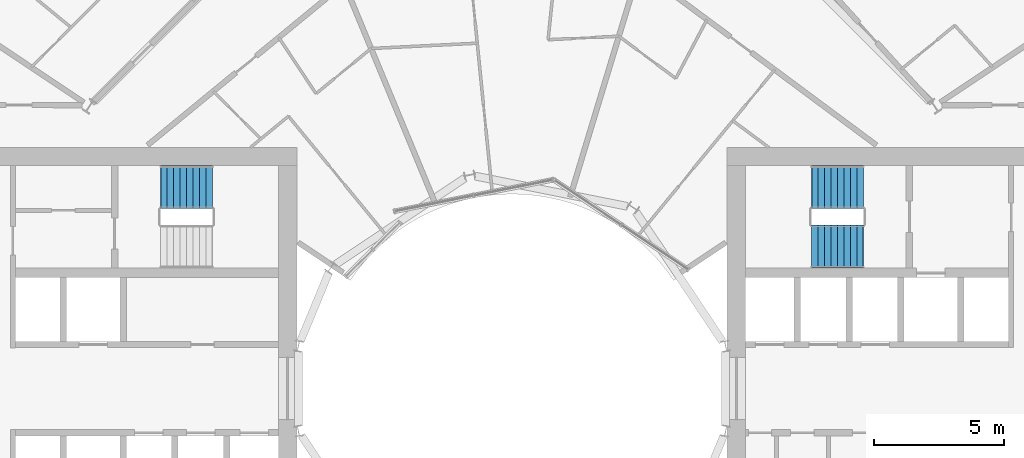
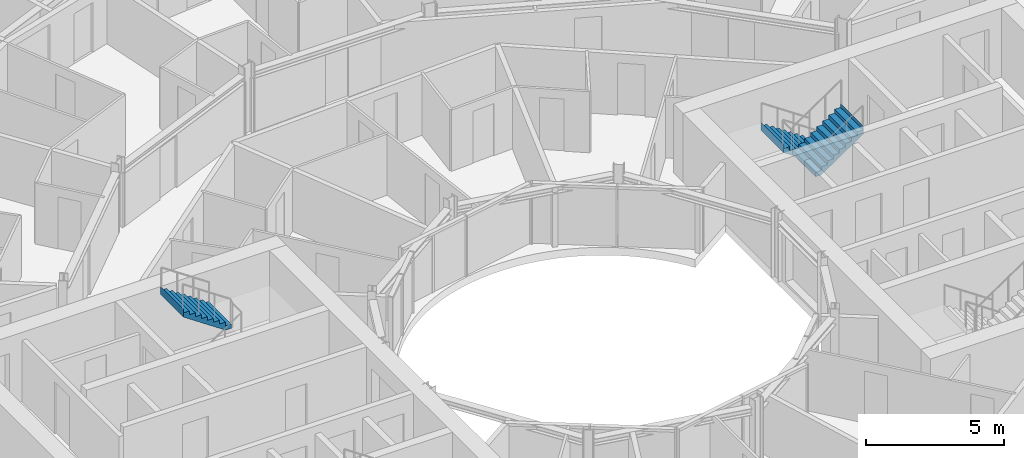
# One storey, part 24 of 26: 3 stair flights, 2 elements without a shape of their own.
"""IFC4 building model written with IfcOpenShell, lengths in metres."""

import ifcopenshell
import ifcopenshell.guid

model = None  # the IFC model being written
_history = None  # IfcOwnerHistory: only IFC2X3 demands one
_inside = {}  # id of a spatial element -> (the spatial element, [elements in it])
_under = {}  # id of a project, library or spatial element -> (it, [spatial elements below it])
_declared = {}  # id of a project -> (the project, [libraries it declares])
_typed = {}  # id of a type object -> (the type object, [elements of that type])
_made_of = {}  # id of a material, layer set ... -> (it, [elements and type objects made of it])


def new_model(schema):
    """Start an empty IFC model of exactly this schema.

    Asked for "IFC4X3", IfcOpenShell would pick the latest addendum, in which some entities
    have other attributes; the version numbers below select the first issue.
    IFC2X3 requires an IfcOwnerHistory on every rooted entity: one is made here for all.
    """
    global model, _history
    if schema == "IFC4X3":
        model = ifcopenshell.file(schema_version=(4, 3, 0, 0))
    else:
        model = ifcopenshell.file(schema=schema)
    _inside.clear()
    _under.clear()
    _declared.clear()
    _typed.clear()
    _made_of.clear()
    _history = None
    if model.schema == "IFC2X3":
        org = make("IfcOrganization", Name="unknown")
        user = make(
            "IfcPersonAndOrganization",
            ThePerson=make("IfcPerson", FamilyName="unknown"),
            TheOrganization=org,
        )
        app = make(
            "IfcApplication",
            ApplicationDeveloper=org,
            Version="unknown",
            ApplicationFullName="unknown",
            ApplicationIdentifier="unknown",
        )
        _history = make(
            "IfcOwnerHistory",
            OwningUser=user,
            OwningApplication=app,
            ChangeAction="ADDED",
            CreationDate=0,
        )
    return model


def make(cls, **values):
    """One entity of the class cls with the attributes given. An attribute that is None is left unset."""
    return model.create_entity(
        cls, **{name: value for name, value in values.items() if value is not None}
    )


def rooted(cls, **values):
    """An entity with a GlobalId (a new one), such as an element, a storey or a relation."""
    return make(cls, GlobalId=ifcopenshell.guid.new(), OwnerHistory=_history, **values)


def si_unit(unit_type, name, prefix=None):
    """IfcSIUnit, for example si_unit("LENGTHUNIT", "METRE", prefix="MILLI")."""
    return make("IfcSIUnit", UnitType=unit_type, Prefix=prefix, Name=name)


def assignment(units):
    """IfcUnitAssignment: the units of a project."""
    return None if units is None else make("IfcUnitAssignment", Units=units)


def point(xyz):
    """IfcCartesianPoint."""
    return None if xyz is None else make("IfcCartesianPoint", Coordinates=xyz)


def direction(xyz):
    """IfcDirection."""
    return None if xyz is None else make("IfcDirection", DirectionRatios=xyz)


def frame(location, z_axis=None, x_axis=None):
    """IfcAxis2Placement3D, a coordinate frame: its origin and axes. An axis left out is left unset."""
    return make(
        "IfcAxis2Placement3D",
        Location=point(location),
        Axis=direction(z_axis),
        RefDirection=direction(x_axis),
    )


def origin():
    """The frame at (0, 0, 0) with its axes left unset."""
    return frame((0.0, 0.0, 0.0))


def place(relative_to, where):
    """IfcLocalPlacement: puts the frame where relative to a parent placement (None: the world)."""
    return make(
        "IfcLocalPlacement", PlacementRelTo=relative_to, RelativePlacement=where
    )


def context(
    kind, dimensions, precision=None, world=None, true_north=None, identifier=None
):
    """IfcGeometricRepresentationContext, for example the 3D "Model" context."""
    return make(
        "IfcGeometricRepresentationContext",
        ContextIdentifier=identifier,
        ContextType=kind,
        CoordinateSpaceDimension=dimensions,
        Precision=precision,
        WorldCoordinateSystem=world,
        TrueNorth=true_north,
    )


def subcontext(parent, identifier, kind, view, scale=None):
    """IfcGeometricRepresentationSubContext, for example "Body" below "Model"."""
    return make(
        "IfcGeometricRepresentationSubContext",
        ContextIdentifier=identifier,
        ContextType=kind,
        ParentContext=parent,
        TargetScale=scale,
        TargetView=view,
    )


def project(units=None, contexts=None):
    """IfcProject with its units and contexts."""
    return rooted(
        "IfcProject",
        Name="project",
        RepresentationContexts=contexts,
        UnitsInContext=assignment(units),
    )


def spatial(cls, under=None, at=None, **own):
    """A site, building, storey or space (cls), placed at a placement, below another one or the project."""
    s = rooted(cls, ObjectPlacement=at, **own)
    if under is not None:
        _under.setdefault(under.id(), (under, []))[1].append(s)
    return s


def point_list(points):
    """IfcCartesianPointList2D or 3D."""
    cls = (
        "IfcCartesianPointList2D" if len(points[0]) == 2 else "IfcCartesianPointList3D"
    )
    return make(cls, CoordList=points)


def triangles(points, corners, closed=None, point_numbers=None):
    """IfcTriangulatedFaceSet: each triangle names its three corners, points numbered from 1."""
    return make(
        "IfcTriangulatedFaceSet",
        Coordinates=point_list(points),
        Closed=closed,
        CoordIndex=corners,
        PnIndex=point_numbers,
    )


def shape(context_of_items, identifier, shape_type, items):
    """IfcShapeRepresentation: the items that make up one representation, for example the "Body"."""
    return make(
        "IfcShapeRepresentation",
        ContextOfItems=context_of_items,
        RepresentationIdentifier=identifier,
        RepresentationType=shape_type,
        Items=items,
    )


def material(Name=None, Category=None):
    """IfcMaterial."""
    return make("IfcMaterial", Name=Name, Category=Category)


def made_of(thing, what):
    """Note that an element or type object is made of a material, layer set ...; save() writes the relation."""
    if what is not None:
        _made_of.setdefault(what.id(), (what, []))[1].append(thing)
    return thing


def type_object(cls, material=None, **own):
    """A type object (cls), such as IfcWallType, which elements share."""
    return made_of(rooted(cls, **own), material)


def element(
    cls,
    number,
    at=None,
    inside=None,
    cuts=None,
    type_object=None,
    material=None,
    context=None,
    identifier="Body",
    shape_type=None,
    held_by="IfcProductDefinitionShape",
    body=None,
    shapes=None,
    **own,
):
    """One element of the class cls, such as IfcWall. Its Tag is "e" and its number.

    at: its placement. inside: the storey or other place that contains it. cuts: it is an
    opening in that element (IfcRelVoidsElement). A single representation is given by context,
    identifier, shape_type and body (its items); several are given by shapes. held_by: the class
    of the entity that holds the representations. save() writes the other relations.
    """
    e = rooted(cls, Tag="e%d" % number, ObjectPlacement=at, **own)
    if body is not None:
        shapes = [shape(context, identifier, shape_type, body)]
    if shapes is not None:
        e.Representation = make(held_by, Representations=shapes)
    if inside is not None:
        _inside.setdefault(inside.id(), (inside, []))[1].append(e)
    if cuts is not None:
        rooted(
            "IfcRelVoidsElement", RelatingBuildingElement=cuts, RelatedOpeningElement=e
        )
    if type_object is not None:
        _typed.setdefault(type_object.id(), (type_object, []))[1].append(e)
    return made_of(e, material)


def aggregate(whole, parts):
    """IfcRelAggregates: a whole, such as a stair, and the parts it consists of."""
    return rooted("IfcRelAggregates", RelatingObject=whole, RelatedObjects=parts)


def save(model, path):
    """Write the relations noted so far, then the file.

    IfcRelAggregates (storeys below a building ...), IfcRelContainedInSpatialStructure (elements
    in a storey), IfcRelDefinesByType, IfcRelAssociatesMaterial and IfcRelDeclares: one each for
    every whole, place, type object, material and project.
    """
    for whole, parts in _under.values():
        aggregate(whole, parts)
    for where, things in _inside.values():
        rooted(
            "IfcRelContainedInSpatialStructure",
            RelatedElements=things,
            RelatingStructure=where,
        )
    for kind, things in _typed.values():
        rooted("IfcRelDefinesByType", RelatedObjects=things, RelatingType=kind)
    for what, things in _made_of.values():
        rooted("IfcRelAssociatesMaterial", RelatedObjects=things, RelatingMaterial=what)
    for by, libraries in _declared.values():
        rooted("IfcRelDeclares", RelatingContext=by, RelatedDefinitions=libraries)
    model.write(path)


model = new_model("IFC4")

# Units and contexts
model_context = context("Model", 3, precision=1e-05, world=origin(), true_north=direction((0.0, 1.0)))
body_context = subcontext(model_context, "Body", "Model", "MODEL_VIEW")
ifc_project = project(units=[si_unit("LENGTHUNIT", "METRE"), si_unit("AREAUNIT", "SQUARE_METRE"), si_unit("VOLUMEUNIT", "CUBIC_METRE"), si_unit("PLANEANGLEUNIT", "RADIAN"), si_unit("MASSUNIT", "GRAM", prefix="KILO")], contexts=[model_context])

# Site, building, storey
site_placement = place(None, origin())
site = spatial("IfcSite", under=ifc_project, at=site_placement, CompositionType="ELEMENT")
building_placement = place(site_placement, origin())
building = spatial("IfcBuilding", under=site, at=building_placement, Name="Maasbend Ring Residences", CompositionType="ELEMENT")
storey_placement = place(building_placement, frame((0.0, 0.0, 69.699951171875)))
storey = spatial("IfcBuildingStorey", under=building, at=storey_placement, Name="L19", CompositionType="ELEMENT", Elevation=69.699951171875)

# Stair, stair flights
ifc_material_1 = material(Name="Concrete C40/50", Category="concrete")
stair_type = type_object("IfcStairType", Name="CORE STAIR 18 RISERS", PredefinedType="HALF_TURN_STAIR", material=ifc_material_1)
stair_1_placement = place(storey_placement, origin())
stair_1 = element("IfcStair", 1, at=stair_1_placement, inside=storey, type_object=stair_type, Name="L19 Exit stair ST-E1", PredefinedType="HALF_TURN_STAIR")
ifc_material_2 = material(Name="Concrete C40/50", Category="concrete")
stair_flight_type = type_object("IfcStairFlightType", Name="CORE STAIR FLIGHT 1650", PredefinedType="STRAIGHT", material=ifc_material_2)
stair_flight_1_placement = place(storey_placement, frame((13.550048828125, 7.77490234375, 0.0), z_axis=(0.0, 0.0, 1.0), x_axis=(-1.0, 0.0, 0.0)))
stair_flight_1 = element("IfcStairFlight", 2, at=stair_flight_1_placement, type_object=stair_flight_type, Name="ST-E1 flight 1", NumberOfRisers=9, NumberOfTreads=8, PredefinedType="STRAIGHT", RiserHeight=0.169444444, TreadLength=0.25, context=body_context, shape_type="Tessellation", body=[
    triangles([(0.24072265625, 0.824951171875, -0.02001953125), (2.0029296875, 0.824951171875, 1.174560546875), (2.0029296875, 0.824951171875, 1.52490234375), (1.989990234375, 0.824951171875, 1.35546875), (1.75, 0.824951171875, 1.35546875), (1.75, 0.824951171875, 1.18603515625), (1.5, 0.824951171875, 1.18603515625), (1.5, 0.824951171875, 1.0166015625), (1.25, 0.824951171875, 1.0166015625), (1.25, 0.824951171875, 0.84716796875), (1.0, 0.824951171875, 0.84716796875), (1.0, 0.824951171875, 0.677734375), (0.75, 0.824951171875, 0.677734375), (0.75, 0.824951171875, 0.50830078125), (0.5, 0.824951171875, 0.50830078125), (0.5, 0.824951171875, 0.3388671875), (0.25, 0.824951171875, 0.3388671875), (0.25, 0.824951171875, 0.16943359375), (0.0, 0.824951171875, 0.16943359375), (0.0, 0.824951171875, 0.0), (-0.0029296875, 0.824951171875, 0.0), (-0.0029296875, 0.824951171875, -0.02001953125), (0.24072265625, 0.27490234375, -0.02001953125), (2.0029296875, 0.27490234375, 1.174560546875), (2.0029296875, 0.27490234375, 1.52490234375), (1.989990234375, 0.27490234375, 1.35546875), (1.75, 0.27490234375, 1.35546875), (1.75, 0.27490234375, 1.18603515625), (1.5, 0.27490234375, 1.18603515625), (1.5, 0.27490234375, 1.0166015625), (1.25, 0.27490234375, 1.0166015625), (1.25, 0.27490234375, 0.84716796875), (1.0, 0.27490234375, 0.84716796875), (1.0, 0.27490234375, 0.677734375), (0.75, 0.27490234375, 0.677734375), (0.75, 0.27490234375, 0.50830078125), (0.5, 0.27490234375, 0.50830078125), (0.5, 0.27490234375, 0.3388671875), (0.25, 0.27490234375, 0.3388671875), (0.25, 0.27490234375, 0.16943359375), (0.0, 0.27490234375, 0.16943359375), (0.0, 0.27490234375, 0.0), (-0.0029296875, 0.27490234375, 0.0), (-0.0029296875, 0.27490234375, -0.02001953125), (0.24072265625, -0.27490234375, -0.02001953125), (2.0029296875, -0.27490234375, 1.174560546875), (2.0029296875, -0.27490234375, 1.52490234375), (1.989990234375, -0.27490234375, 1.35546875), (1.75, -0.27490234375, 1.35546875), (1.75, -0.27490234375, 1.18603515625), (1.5, -0.27490234375, 1.18603515625), (1.5, -0.27490234375, 1.0166015625), (1.25, -0.27490234375, 1.0166015625), (1.25, -0.27490234375, 0.84716796875), (1.0, -0.27490234375, 0.84716796875), (1.0, -0.27490234375, 0.677734375), (0.75, -0.27490234375, 0.677734375), (0.75, -0.27490234375, 0.50830078125), (0.5, -0.27490234375, 0.50830078125), (0.5, -0.27490234375, 0.3388671875), (0.25, -0.27490234375, 0.3388671875), (0.25, -0.27490234375, 0.16943359375), (0.0, -0.27490234375, 0.16943359375), (0.0, -0.27490234375, 0.0), (-0.0029296875, -0.27490234375, 0.0), (-0.0029296875, -0.27490234375, -0.02001953125), (0.24072265625, -0.824951171875, -0.02001953125), (2.0029296875, -0.824951171875, 1.174560546875), (2.0029296875, -0.824951171875, 1.52490234375), (1.989990234375, -0.824951171875, 1.35546875), (1.75, -0.824951171875, 1.35546875), (1.75, -0.824951171875, 1.18603515625), (1.5, -0.824951171875, 1.18603515625), (1.5, -0.824951171875, 1.0166015625), (1.25, -0.824951171875, 1.0166015625), (1.25, -0.824951171875, 0.84716796875), (1.0, -0.824951171875, 0.84716796875), (1.0, -0.824951171875, 0.677734375), (0.75, -0.824951171875, 0.677734375), (0.75, -0.824951171875, 0.50830078125), (0.5, -0.824951171875, 0.50830078125), (0.5, -0.824951171875, 0.3388671875), (0.25, -0.824951171875, 0.3388671875), (0.25, -0.824951171875, 0.16943359375), (0.0, -0.824951171875, 0.16943359375), (0.0, -0.824951171875, 0.0), (-0.0029296875, -0.824951171875, 0.0), (-0.0029296875, -0.824951171875, -0.02001953125)], [[1, 2, 24], [1, 24, 23], [23, 24, 46], [23, 46, 45], [45, 46, 68], [45, 68, 67], [2, 3, 25], [2, 25, 24], [24, 25, 47], [24, 47, 46], [46, 47, 69], [46, 69, 68], [3, 4, 26], [3, 26, 25], [25, 26, 48], [25, 48, 47], [47, 48, 70], [47, 70, 69], [4, 5, 27], [4, 27, 26], [26, 27, 49], [26, 49, 48], [48, 49, 71], [48, 71, 70], [5, 6, 28], [5, 28, 27], [27, 28, 50], [27, 50, 49], [49, 50, 72], [49, 72, 71], [6, 7, 29], [6, 29, 28], [28, 29, 51], [28, 51, 50], [50, 51, 73], [50, 73, 72], [7, 8, 30], [7, 30, 29], [29, 30, 52], [29, 52, 51], [51, 52, 74], [51, 74, 73], [8, 9, 31], [8, 31, 30], [30, 31, 53], [30, 53, 52], [52, 53, 75], [52, 75, 74], [9, 10, 32], [9, 32, 31], [31, 32, 54], [31, 54, 53], [53, 54, 76], [53, 76, 75], [10, 11, 33], [10, 33, 32], [32, 33, 55], [32, 55, 54], [54, 55, 77], [54, 77, 76], [11, 12, 34], [11, 34, 33], [33, 34, 56], [33, 56, 55], [55, 56, 78], [55, 78, 77], [12, 13, 35], [12, 35, 34], [34, 35, 57], [34, 57, 56], [56, 57, 79], [56, 79, 78], [13, 14, 36], [13, 36, 35], [35, 36, 58], [35, 58, 57], [57, 58, 80], [57, 80, 79], [14, 15, 37], [14, 37, 36], [36, 37, 59], [36, 59, 58], [58, 59, 81], [58, 81, 80], [15, 16, 38], [15, 38, 37], [37, 38, 60], [37, 60, 59], [59, 60, 82], [59, 82, 81], [16, 17, 39], [16, 39, 38], [38, 39, 61], [38, 61, 60], [60, 61, 83], [60, 83, 82], [17, 18, 40], [17, 40, 39], [39, 40, 62], [39, 62, 61], [61, 62, 84], [61, 84, 83], [18, 19, 41], [18, 41, 40], [40, 41, 63], [40, 63, 62], [62, 63, 85], [62, 85, 84], [19, 20, 42], [19, 42, 41], [41, 42, 64], [41, 64, 63], [63, 64, 86], [63, 86, 85], [20, 21, 43], [20, 43, 42], [42, 43, 65], [42, 65, 64], [64, 65, 87], [64, 87, 86], [21, 22, 44], [21, 44, 43], [43, 44, 66], [43, 66, 65], [65, 66, 88], [65, 88, 87], [22, 1, 23], [22, 23, 44], [44, 23, 45], [44, 45, 66], [66, 45, 67], [66, 67, 88], [22, 2, 1], [2, 4, 3], [2, 5, 4], [2, 6, 5], [22, 6, 2], [6, 8, 7], [22, 8, 6], [8, 10, 9], [22, 10, 8], [10, 12, 11], [22, 12, 10], [12, 14, 13], [22, 14, 12], [14, 16, 15], [22, 16, 14], [16, 18, 17], [22, 18, 16], [18, 20, 19], [22, 20, 18], [20, 22, 21], [88, 67, 68], [68, 69, 70], [68, 70, 71], [68, 71, 72], [88, 68, 72], [72, 73, 74], [88, 72, 74], [74, 75, 76], [88, 74, 76], [76, 77, 78], [88, 76, 78], [78, 79, 80], [88, 78, 80], [80, 81, 82], [88, 80, 82], [82, 83, 84], [88, 82, 84], [84, 85, 86], [88, 84, 86], [86, 87, 88]], closed=True),
])
stair_flight_2_placement = place(storey_placement, frame((11.550048828125, 5.47509765625, 1.525146484375), z_axis=(0.0, 0.0, 1.0), x_axis=(1.0, 0.0, 0.0)))
stair_flight_2 = element("IfcStairFlight", 3, at=stair_flight_2_placement, type_object=stair_flight_type, Name="ST-E1 flight 2", NumberOfRisers=9, NumberOfTreads=8, PredefinedType="STRAIGHT", RiserHeight=0.169444444, TreadLength=0.25, context=body_context, shape_type="Tessellation", body=[
    triangles([(0.24072265625, 0.824951171875, -0.02001953125), (2.0029296875, 0.824951171875, 1.174560546875), (2.0029296875, 0.824951171875, 1.52490234375), (1.989990234375, 0.824951171875, 1.35546875), (1.75, 0.824951171875, 1.35546875), (1.75, 0.824951171875, 1.18603515625), (1.5, 0.824951171875, 1.18603515625), (1.5, 0.824951171875, 1.0166015625), (1.25, 0.824951171875, 1.0166015625), (1.25, 0.824951171875, 0.84716796875), (1.0, 0.824951171875, 0.84716796875), (1.0, 0.824951171875, 0.677734375), (0.75, 0.824951171875, 0.677734375), (0.75, 0.824951171875, 0.50830078125), (0.5, 0.824951171875, 0.50830078125), (0.5, 0.824951171875, 0.3388671875), (0.25, 0.824951171875, 0.3388671875), (0.25, 0.824951171875, 0.16943359375), (0.0, 0.824951171875, 0.16943359375), (0.0, 0.824951171875, 0.0), (-0.0029296875, 0.824951171875, 0.0), (-0.0029296875, 0.824951171875, -0.02001953125), (0.24072265625, 0.27490234375, -0.02001953125), (2.0029296875, 0.27490234375, 1.174560546875), (2.0029296875, 0.27490234375, 1.52490234375), (1.989990234375, 0.27490234375, 1.35546875), (1.75, 0.27490234375, 1.35546875), (1.75, 0.27490234375, 1.18603515625), (1.5, 0.27490234375, 1.18603515625), (1.5, 0.27490234375, 1.0166015625), (1.25, 0.27490234375, 1.0166015625), (1.25, 0.27490234375, 0.84716796875), (1.0, 0.27490234375, 0.84716796875), (1.0, 0.27490234375, 0.677734375), (0.75, 0.27490234375, 0.677734375), (0.75, 0.27490234375, 0.50830078125), (0.5, 0.27490234375, 0.50830078125), (0.5, 0.27490234375, 0.3388671875), (0.25, 0.27490234375, 0.3388671875), (0.25, 0.27490234375, 0.16943359375), (0.0, 0.27490234375, 0.16943359375), (0.0, 0.27490234375, 0.0), (-0.0029296875, 0.27490234375, 0.0), (-0.0029296875, 0.27490234375, -0.02001953125), (0.24072265625, -0.27490234375, -0.02001953125), (2.0029296875, -0.27490234375, 1.174560546875), (2.0029296875, -0.27490234375, 1.52490234375), (1.989990234375, -0.27490234375, 1.35546875), (1.75, -0.27490234375, 1.35546875), (1.75, -0.27490234375, 1.18603515625), (1.5, -0.27490234375, 1.18603515625), (1.5, -0.27490234375, 1.0166015625), (1.25, -0.27490234375, 1.0166015625), (1.25, -0.27490234375, 0.84716796875), (1.0, -0.27490234375, 0.84716796875), (1.0, -0.27490234375, 0.677734375), (0.75, -0.27490234375, 0.677734375), (0.75, -0.27490234375, 0.50830078125), (0.5, -0.27490234375, 0.50830078125), (0.5, -0.27490234375, 0.3388671875), (0.25, -0.27490234375, 0.3388671875), (0.25, -0.27490234375, 0.16943359375), (0.0, -0.27490234375, 0.16943359375), (0.0, -0.27490234375, 0.0), (-0.0029296875, -0.27490234375, 0.0), (-0.0029296875, -0.27490234375, -0.02001953125), (0.24072265625, -0.824951171875, -0.02001953125), (2.0029296875, -0.824951171875, 1.174560546875), (2.0029296875, -0.824951171875, 1.52490234375), (1.989990234375, -0.824951171875, 1.35546875), (1.75, -0.824951171875, 1.35546875), (1.75, -0.824951171875, 1.18603515625), (1.5, -0.824951171875, 1.18603515625), (1.5, -0.824951171875, 1.0166015625), (1.25, -0.824951171875, 1.0166015625), (1.25, -0.824951171875, 0.84716796875), (1.0, -0.824951171875, 0.84716796875), (1.0, -0.824951171875, 0.677734375), (0.75, -0.824951171875, 0.677734375), (0.75, -0.824951171875, 0.50830078125), (0.5, -0.824951171875, 0.50830078125), (0.5, -0.824951171875, 0.3388671875), (0.25, -0.824951171875, 0.3388671875), (0.25, -0.824951171875, 0.16943359375), (0.0, -0.824951171875, 0.16943359375), (0.0, -0.824951171875, 0.0), (-0.0029296875, -0.824951171875, 0.0), (-0.0029296875, -0.824951171875, -0.02001953125)], [[1, 2, 24], [1, 24, 23], [23, 24, 46], [23, 46, 45], [45, 46, 68], [45, 68, 67], [2, 3, 25], [2, 25, 24], [24, 25, 47], [24, 47, 46], [46, 47, 69], [46, 69, 68], [3, 4, 26], [3, 26, 25], [25, 26, 48], [25, 48, 47], [47, 48, 70], [47, 70, 69], [4, 5, 27], [4, 27, 26], [26, 27, 49], [26, 49, 48], [48, 49, 71], [48, 71, 70], [5, 6, 28], [5, 28, 27], [27, 28, 50], [27, 50, 49], [49, 50, 72], [49, 72, 71], [6, 7, 29], [6, 29, 28], [28, 29, 51], [28, 51, 50], [50, 51, 73], [50, 73, 72], [7, 8, 30], [7, 30, 29], [29, 30, 52], [29, 52, 51], [51, 52, 74], [51, 74, 73], [8, 9, 31], [8, 31, 30], [30, 31, 53], [30, 53, 52], [52, 53, 75], [52, 75, 74], [9, 10, 32], [9, 32, 31], [31, 32, 54], [31, 54, 53], [53, 54, 76], [53, 76, 75], [10, 11, 33], [10, 33, 32], [32, 33, 55], [32, 55, 54], [54, 55, 77], [54, 77, 76], [11, 12, 34], [11, 34, 33], [33, 34, 56], [33, 56, 55], [55, 56, 78], [55, 78, 77], [12, 13, 35], [12, 35, 34], [34, 35, 57], [34, 57, 56], [56, 57, 79], [56, 79, 78], [13, 14, 36], [13, 36, 35], [35, 36, 58], [35, 58, 57], [57, 58, 80], [57, 80, 79], [14, 15, 37], [14, 37, 36], [36, 37, 59], [36, 59, 58], [58, 59, 81], [58, 81, 80], [15, 16, 38], [15, 38, 37], [37, 38, 60], [37, 60, 59], [59, 60, 82], [59, 82, 81], [16, 17, 39], [16, 39, 38], [38, 39, 61], [38, 61, 60], [60, 61, 83], [60, 83, 82], [17, 18, 40], [17, 40, 39], [39, 40, 62], [39, 62, 61], [61, 62, 84], [61, 84, 83], [18, 19, 41], [18, 41, 40], [40, 41, 63], [40, 63, 62], [62, 63, 85], [62, 85, 84], [19, 20, 42], [19, 42, 41], [41, 42, 64], [41, 64, 63], [63, 64, 86], [63, 86, 85], [20, 21, 43], [20, 43, 42], [42, 43, 65], [42, 65, 64], [64, 65, 87], [64, 87, 86], [21, 22, 44], [21, 44, 43], [43, 44, 66], [43, 66, 65], [65, 66, 88], [65, 88, 87], [22, 1, 23], [22, 23, 44], [44, 23, 45], [44, 45, 66], [66, 45, 67], [66, 67, 88], [22, 2, 1], [2, 4, 3], [2, 5, 4], [2, 6, 5], [22, 6, 2], [6, 8, 7], [22, 8, 6], [8, 10, 9], [22, 10, 8], [10, 12, 11], [22, 12, 10], [12, 14, 13], [22, 14, 12], [14, 16, 15], [22, 16, 14], [16, 18, 17], [22, 18, 16], [18, 20, 19], [22, 20, 18], [20, 22, 21], [88, 67, 68], [68, 69, 70], [68, 70, 71], [68, 71, 72], [88, 68, 72], [72, 73, 74], [88, 72, 74], [74, 75, 76], [88, 74, 76], [76, 77, 78], [88, 76, 78], [78, 79, 80], [88, 78, 80], [80, 81, 82], [88, 80, 82], [82, 83, 84], [88, 82, 84], [84, 85, 86], [88, 84, 86], [86, 87, 88]], closed=True),
])
aggregate(stair_1, [stair_flight_1, stair_flight_2])

# Stair, stair flight
stair_2_placement = place(storey_placement, origin())
stair_2 = element("IfcStair", 4, at=stair_2_placement, inside=storey, type_object=stair_type, Name="L19 Exit stair ST-W2", PredefinedType="HALF_TURN_STAIR")
stair_flight_3_placement = place(storey_placement, frame((-11.550048828125, 7.77490234375, 1.525146484375), z_axis=(0.0, 0.0, 1.0), x_axis=(-1.0, 0.0, 0.0)))
stair_flight_3 = element("IfcStairFlight", 5, at=stair_flight_3_placement, type_object=stair_flight_type, Name="ST-W2 flight 2", NumberOfRisers=9, NumberOfTreads=8, PredefinedType="STRAIGHT", RiserHeight=0.169444444, TreadLength=0.25, context=body_context, shape_type="Tessellation", body=[
    triangles([(0.24072265625, 0.824951171875, -0.02001953125), (2.0029296875, 0.824951171875, 1.174560546875), (2.0029296875, 0.824951171875, 1.52490234375), (1.989990234375, 0.824951171875, 1.35546875), (1.75, 0.824951171875, 1.35546875), (1.75, 0.824951171875, 1.18603515625), (1.5, 0.824951171875, 1.18603515625), (1.5, 0.824951171875, 1.0166015625), (1.25, 0.824951171875, 1.0166015625), (1.25, 0.824951171875, 0.84716796875), (1.0, 0.824951171875, 0.84716796875), (1.0, 0.824951171875, 0.677734375), (0.75, 0.824951171875, 0.677734375), (0.75, 0.824951171875, 0.50830078125), (0.5, 0.824951171875, 0.50830078125), (0.5, 0.824951171875, 0.3388671875), (0.25, 0.824951171875, 0.3388671875), (0.25, 0.824951171875, 0.16943359375), (0.0, 0.824951171875, 0.16943359375), (0.0, 0.824951171875, 0.0), (-0.0029296875, 0.824951171875, 0.0), (-0.0029296875, 0.824951171875, -0.02001953125), (0.24072265625, 0.27490234375, -0.02001953125), (2.0029296875, 0.27490234375, 1.174560546875), (2.0029296875, 0.27490234375, 1.52490234375), (1.989990234375, 0.27490234375, 1.35546875), (1.75, 0.27490234375, 1.35546875), (1.75, 0.27490234375, 1.18603515625), (1.5, 0.27490234375, 1.18603515625), (1.5, 0.27490234375, 1.0166015625), (1.25, 0.27490234375, 1.0166015625), (1.25, 0.27490234375, 0.84716796875), (1.0, 0.27490234375, 0.84716796875), (1.0, 0.27490234375, 0.677734375), (0.75, 0.27490234375, 0.677734375), (0.75, 0.27490234375, 0.50830078125), (0.5, 0.27490234375, 0.50830078125), (0.5, 0.27490234375, 0.3388671875), (0.25, 0.27490234375, 0.3388671875), (0.25, 0.27490234375, 0.16943359375), (0.0, 0.27490234375, 0.16943359375), (0.0, 0.27490234375, 0.0), (-0.0029296875, 0.27490234375, 0.0), (-0.0029296875, 0.27490234375, -0.02001953125), (0.24072265625, -0.27490234375, -0.02001953125), (2.0029296875, -0.27490234375, 1.174560546875), (2.0029296875, -0.27490234375, 1.52490234375), (1.989990234375, -0.27490234375, 1.35546875), (1.75, -0.27490234375, 1.35546875), (1.75, -0.27490234375, 1.18603515625), (1.5, -0.27490234375, 1.18603515625), (1.5, -0.27490234375, 1.0166015625), (1.25, -0.27490234375, 1.0166015625), (1.25, -0.27490234375, 0.84716796875), (1.0, -0.27490234375, 0.84716796875), (1.0, -0.27490234375, 0.677734375), (0.75, -0.27490234375, 0.677734375), (0.75, -0.27490234375, 0.50830078125), (0.5, -0.27490234375, 0.50830078125), (0.5, -0.27490234375, 0.3388671875), (0.25, -0.27490234375, 0.3388671875), (0.25, -0.27490234375, 0.16943359375), (0.0, -0.27490234375, 0.16943359375), (0.0, -0.27490234375, 0.0), (-0.0029296875, -0.27490234375, 0.0), (-0.0029296875, -0.27490234375, -0.02001953125), (0.24072265625, -0.824951171875, -0.02001953125), (2.0029296875, -0.824951171875, 1.174560546875), (2.0029296875, -0.824951171875, 1.52490234375), (1.989990234375, -0.824951171875, 1.35546875), (1.75, -0.824951171875, 1.35546875), (1.75, -0.824951171875, 1.18603515625), (1.5, -0.824951171875, 1.18603515625), (1.5, -0.824951171875, 1.0166015625), (1.25, -0.824951171875, 1.0166015625), (1.25, -0.824951171875, 0.84716796875), (1.0, -0.824951171875, 0.84716796875), (1.0, -0.824951171875, 0.677734375), (0.75, -0.824951171875, 0.677734375), (0.75, -0.824951171875, 0.50830078125), (0.5, -0.824951171875, 0.50830078125), (0.5, -0.824951171875, 0.3388671875), (0.25, -0.824951171875, 0.3388671875), (0.25, -0.824951171875, 0.16943359375), (0.0, -0.824951171875, 0.16943359375), (0.0, -0.824951171875, 0.0), (-0.0029296875, -0.824951171875, 0.0), (-0.0029296875, -0.824951171875, -0.02001953125)], [[1, 2, 24], [1, 24, 23], [23, 24, 46], [23, 46, 45], [45, 46, 68], [45, 68, 67], [2, 3, 25], [2, 25, 24], [24, 25, 47], [24, 47, 46], [46, 47, 69], [46, 69, 68], [3, 4, 26], [3, 26, 25], [25, 26, 48], [25, 48, 47], [47, 48, 70], [47, 70, 69], [4, 5, 27], [4, 27, 26], [26, 27, 49], [26, 49, 48], [48, 49, 71], [48, 71, 70], [5, 6, 28], [5, 28, 27], [27, 28, 50], [27, 50, 49], [49, 50, 72], [49, 72, 71], [6, 7, 29], [6, 29, 28], [28, 29, 51], [28, 51, 50], [50, 51, 73], [50, 73, 72], [7, 8, 30], [7, 30, 29], [29, 30, 52], [29, 52, 51], [51, 52, 74], [51, 74, 73], [8, 9, 31], [8, 31, 30], [30, 31, 53], [30, 53, 52], [52, 53, 75], [52, 75, 74], [9, 10, 32], [9, 32, 31], [31, 32, 54], [31, 54, 53], [53, 54, 76], [53, 76, 75], [10, 11, 33], [10, 33, 32], [32, 33, 55], [32, 55, 54], [54, 55, 77], [54, 77, 76], [11, 12, 34], [11, 34, 33], [33, 34, 56], [33, 56, 55], [55, 56, 78], [55, 78, 77], [12, 13, 35], [12, 35, 34], [34, 35, 57], [34, 57, 56], [56, 57, 79], [56, 79, 78], [13, 14, 36], [13, 36, 35], [35, 36, 58], [35, 58, 57], [57, 58, 80], [57, 80, 79], [14, 15, 37], [14, 37, 36], [36, 37, 59], [36, 59, 58], [58, 59, 81], [58, 81, 80], [15, 16, 38], [15, 38, 37], [37, 38, 60], [37, 60, 59], [59, 60, 82], [59, 82, 81], [16, 17, 39], [16, 39, 38], [38, 39, 61], [38, 61, 60], [60, 61, 83], [60, 83, 82], [17, 18, 40], [17, 40, 39], [39, 40, 62], [39, 62, 61], [61, 62, 84], [61, 84, 83], [18, 19, 41], [18, 41, 40], [40, 41, 63], [40, 63, 62], [62, 63, 85], [62, 85, 84], [19, 20, 42], [19, 42, 41], [41, 42, 64], [41, 64, 63], [63, 64, 86], [63, 86, 85], [20, 21, 43], [20, 43, 42], [42, 43, 65], [42, 65, 64], [64, 65, 87], [64, 87, 86], [21, 22, 44], [21, 44, 43], [43, 44, 66], [43, 66, 65], [65, 66, 88], [65, 88, 87], [22, 1, 23], [22, 23, 44], [44, 23, 45], [44, 45, 66], [66, 45, 67], [66, 67, 88], [22, 2, 1], [2, 4, 3], [2, 5, 4], [2, 6, 5], [22, 6, 2], [6, 8, 7], [22, 8, 6], [8, 10, 9], [22, 10, 8], [10, 12, 11], [22, 12, 10], [12, 14, 13], [22, 14, 12], [14, 16, 15], [22, 16, 14], [16, 18, 17], [22, 18, 16], [18, 20, 19], [22, 20, 18], [20, 22, 21], [88, 67, 68], [68, 69, 70], [68, 70, 71], [68, 71, 72], [88, 68, 72], [72, 73, 74], [88, 72, 74], [74, 75, 76], [88, 74, 76], [76, 77, 78], [88, 76, 78], [78, 79, 80], [88, 78, 80], [80, 81, 82], [88, 80, 82], [82, 83, 84], [88, 82, 84], [84, 85, 86], [88, 84, 86], [86, 87, 88]], closed=True),
])
aggregate(stair_2, [stair_flight_3])

save(model, "model.ifc")
